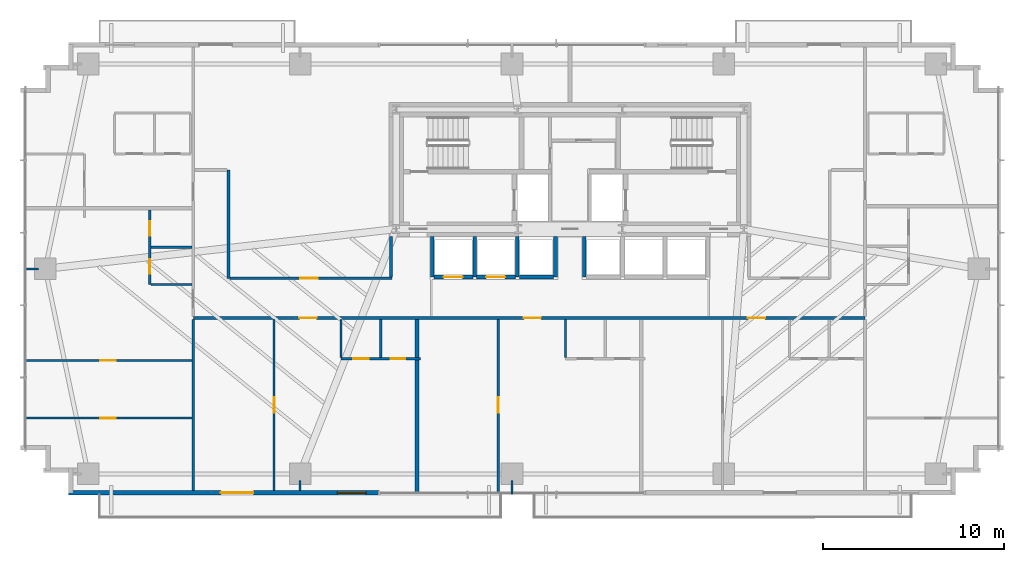
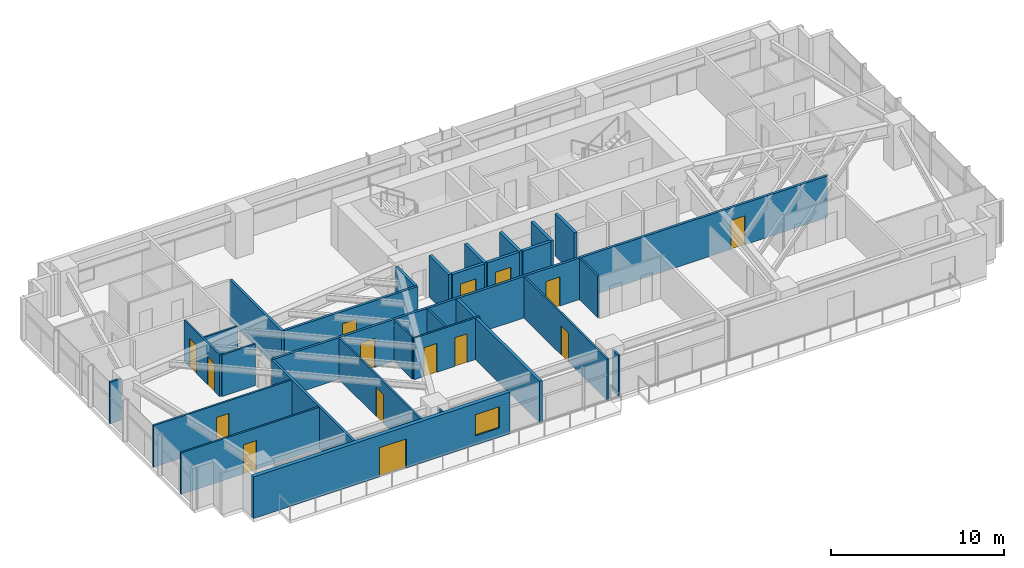
# One storey, part 19 of 25: 30 walls, 15 doors, 1 window, 16 openings.
"""IFC4 building model written with IfcOpenShell, lengths in metres."""

from ifc_helpers import new_model, si_unit, direction, frame, frame_2d, origin, place, context, subcontext, project, spatial, rectangle, extrude, source, transform, mapped, material, layer, layer_set, type_object, type_shapes, element, fill, save


model = new_model("IFC4")

# Units and contexts
model_context = context("Model", 3, precision=1e-05, world=origin(), true_north=direction((0.0, 1.0)))
body_context = subcontext(model_context, "Body", "Model", "MODEL_VIEW")
ifc_project = project(units=[si_unit("LENGTHUNIT", "METRE"), si_unit("AREAUNIT", "SQUARE_METRE"), si_unit("VOLUMEUNIT", "CUBIC_METRE"), si_unit("PLANEANGLEUNIT", "RADIAN"), si_unit("MASSUNIT", "GRAM", prefix="KILO")], contexts=[model_context])

# Site, building, storey
site_placement = place(None, origin())
site = spatial("IfcSite", under=ifc_project, at=site_placement, CompositionType="ELEMENT")
building_placement = place(site_placement, origin())
building = spatial("IfcBuilding", under=site, at=building_placement, Name="Astriad Promenade Condominiums", CompositionType="ELEMENT")
storey_placement = place(building_placement, frame((0.0, 0.0, 61.39990234375)))
storey = spatial("IfcBuildingStorey", under=building, at=storey_placement, Name="L17", CompositionType="ELEMENT", Elevation=61.39990234375)

# Wall, openings, doors
ifc_material_1 = material(Name="Fire-Rated Gypsum Partition")
ifc_layer_1 = layer(ifc_material_1, 0.159912109375)
ifc_layer_set_1 = layer_set([ifc_layer_1], Name="Fire-Rated Gypsum Partition")
wall_type_1 = type_object("IfcWallType", Name="WALL-CORR-160", PredefinedType="PARTITIONING", material=ifc_layer_set_1)
wall_1_placement = place(storey_placement, frame((15.199951171875, 12.489990234375, 0.0), z_axis=(0.0, 0.0, 1.0), x_axis=(1.0, 0.0, 0.0)))
wall_1 = element("IfcWall", 1, at=wall_1_placement, inside=storey, type_object=wall_type_1, Name="PT-COR-S-L17", PredefinedType="PARTITIONING", context=body_context, shape_type="SweptSolid", body=[
    extrude(rectangle(XDim=37.10009765625, YDim=0.159912109375, at=frame_2d((18.550048828125, 0.0))), origin(), (0.0, 0.0, 1.0), 2.940185546875),
])
opening_1_placement = place(wall_1_placement, frame((5.863037109375, 0.0, 0.0)))
opening_1 = element("IfcOpeningElement", 2, at=opening_1_placement, cuts=wall_1, Name="Opening FD60-APT-095", PredefinedType="OPENING", context=body_context, shape_type="SweptSolid", body=[
    extrude(rectangle(XDim=0.949951171875, YDim=2.06005859375, at=frame_2d((0.47509765625, 1.030029296875))), frame((0.0, 0.08984375, 0.0), z_axis=(0.0, -1.0, 0.0), x_axis=(1.0, 0.0, 0.0)), (0.0, 0.0, 1.0), 0.179931640625),
])
opening_2_placement = place(wall_1_placement, frame((18.25, 0.0, 0.0)))
opening_2 = element("IfcOpeningElement", 3, at=opening_2_placement, cuts=wall_1, Name="Opening FD60-APT-095", PredefinedType="OPENING", context=body_context, shape_type="SweptSolid", body=[
    extrude(rectangle(XDim=0.949951171875, YDim=2.06005859375, at=frame_2d((0.47509765625, 1.030029296875))), frame((0.0, 0.08984375, 0.0), z_axis=(0.0, -1.0, 0.0), x_axis=(1.0, 0.0, 0.0)), (0.0, 0.0, 1.0), 0.179931640625),
])
opening_3_placement = place(wall_1_placement, frame((30.6298828125, 0.0, 0.0)))
opening_3 = element("IfcOpeningElement", 4, at=opening_3_placement, cuts=wall_1, Name="Opening FD60-APT-095", PredefinedType="OPENING", context=body_context, shape_type="SweptSolid", body=[
    extrude(rectangle(XDim=0.949951171875, YDim=2.06005859375, at=frame_2d((0.47509765625, 1.030029296875))), frame((0.0, 0.08984375, 0.0), z_axis=(0.0, -1.0, 0.0), x_axis=(1.0, 0.0, 0.0)), (0.0, 0.0, 1.0), 0.179931640625),
])
ifc_material_2 = material(Name="Solid-Core Acoustic Timber Residence Entry Door", Category="wood")
door_type_1 = type_object("IfcDoorType", Name="FD60-APT-095", OperationType="NOTDEFINED", PredefinedType="DOOR", material=ifc_material_2)
shared_shape_1 = source(origin(), body_context, "Body", "SweptSolid", [
    extrude(rectangle(XDim=0.949951171875, YDim=2.06005859375, at=frame_2d((0.47509765625, 1.030029296875))), frame((0.0, 0.02490234375, 0.0), z_axis=(0.0, -1.0, 0.0), x_axis=(1.0, 0.0, 0.0)), (0.0, 0.0, 1.0), 0.050048828125),
])
type_shapes(door_type_1, [shared_shape_1])
door_1_placement = place(opening_1_placement, origin())
door_1 = element("IfcDoor", 5, at=door_1_placement, inside=storey, type_object=door_type_1, Name="D-ENT-L17-S1", OperationType="SINGLE_SWING_LEFT", OverallHeight=2.06005859375, OverallWidth=0.949951171875, PredefinedType="DOOR", context=body_context, shape_type="MappedRepresentation", body=[
    mapped(shared_shape_1, transform((0.0, 0.0, 0.0), scale=1.0)),
])
fill(opening_1, door_1)
door_2_placement = place(opening_2_placement, origin())
door_2 = element("IfcDoor", 6, at=door_2_placement, inside=storey, type_object=door_type_1, Name="D-ENT-L17-S2", OperationType="SINGLE_SWING_LEFT", OverallHeight=2.06005859375, OverallWidth=0.949951171875, PredefinedType="DOOR", context=body_context, shape_type="MappedRepresentation", body=[
    mapped(shared_shape_1, transform((0.0, 0.0, 0.0), scale=1.0)),
])
fill(opening_2, door_2)
door_3_placement = place(opening_3_placement, origin())
door_3 = element("IfcDoor", 7, at=door_3_placement, inside=storey, type_object=door_type_1, Name="D-ENT-L17-S3", OperationType="SINGLE_SWING_LEFT", OverallHeight=2.06005859375, OverallWidth=0.949951171875, PredefinedType="DOOR", context=body_context, shape_type="MappedRepresentation", body=[
    mapped(shared_shape_1, transform((0.0, 0.0, 0.0), scale=1.0)),
])
fill(opening_3, door_3)

# Walls
wall_2_placement = place(storey_placement, frame((15.199951171875, 2.9619140625, 0.0), z_axis=(0.0, 0.0, 1.0), x_axis=(0.0, 1.0, 0.0)))
element("IfcWall", 8, at=wall_2_placement, inside=storey, type_object=wall_type_1, Name="PT-COR-W-L17", PredefinedType="PARTITIONING", context=body_context, shape_type="SweptSolid", body=[
    extrude(rectangle(XDim=9.446044921875, YDim=0.159912109375, at=frame_2d((4.72314453125, 0.0))), origin(), (0.0, 0.0, 1.0), 2.940185546875),
])
wall_3_placement = place(storey_placement, frame((17.14990234375, 14.659912109375, 0.0), z_axis=(0.0, 0.0, 1.0), x_axis=(0.0, 1.0, 0.0)))
element("IfcWall", 9, at=wall_3_placement, inside=storey, type_object=wall_type_1, Name="PT-WALC-E-L17", PredefinedType="PARTITIONING", context=body_context, shape_type="SweptSolid", body=[
    extrude(rectangle(XDim=5.989990234375, YDim=0.159912109375, at=frame_2d((2.9951171875, 0.0))), origin(), (0.0, 0.0, 1.0), 2.940185546875),
])

# Wall, opening, door
wall_4_placement = place(storey_placement, frame((17.23193359375, 14.679931640625, 0.0), z_axis=(0.0, 0.0, 1.0), x_axis=(1.0, 0.0, 0.0)))
wall_4 = element("IfcWall", 10, at=wall_4_placement, inside=storey, type_object=wall_type_1, Name="PT-FLK-NW-L17", PredefinedType="PARTITIONING", context=body_context, shape_type="SweptSolid", body=[
    extrude(rectangle(XDim=8.927978515625, YDim=0.159912109375, at=frame_2d((4.4638671875, 0.0))), origin(), (0.0, 0.0, 1.0), 2.940185546875),
])
opening_4_placement = place(wall_4_placement, frame((3.887939453125, 0.0, 0.0)))
opening_4 = element("IfcOpeningElement", 11, at=opening_4_placement, cuts=wall_4, Name="Opening FD60-APT-095", PredefinedType="OPENING", context=body_context, shape_type="SweptSolid", body=[
    extrude(rectangle(XDim=0.949951171875, YDim=2.06005859375, at=frame_2d((0.47509765625, 1.030029296875))), frame((0.0, 0.08984375, 0.0), z_axis=(0.0, -1.0, 0.0), x_axis=(1.0, 0.0, 0.0)), (0.0, 0.0, 1.0), 0.179931640625),
])
door_4_placement = place(opening_4_placement, origin())
door_4 = element("IfcDoor", 12, at=door_4_placement, inside=storey, type_object=door_type_1, Name="D-NWA-L17", OperationType="SINGLE_SWING_RIGHT", OverallHeight=2.06005859375, OverallWidth=0.949951171875, PredefinedType="DOOR", context=body_context, shape_type="MappedRepresentation", body=[
    mapped(shared_shape_1, transform((0.0, 0.0, 0.0), scale=1.0)),
])
fill(opening_4, door_4)

# Walls
wall_5_placement = place(storey_placement, frame((26.1201171875, 14.761962890625, 0.0), z_axis=(0.0, 0.0, 1.0), x_axis=(0.0, 1.0, 0.0)))
element("IfcWall", 13, at=wall_5_placement, inside=storey, type_object=wall_type_1, Name="PT-WSPUR-W-L17", PredefinedType="PARTITIONING", context=body_context, shape_type="SweptSolid", body=[
    extrude(rectangle(XDim=2.236083984375, YDim=0.159912109375, at=frame_2d((1.1181640625, 0.0))), origin(), (0.0, 0.0, 1.0), 2.940185546875),
])
ifc_material_3 = material(Name="Acoustic Double-Stud Gypsum Partition")
ifc_layer_2 = layer(ifc_material_3, 0.199951171875)
ifc_layer_set_2 = layer_set([ifc_layer_2], Name="Acoustic Double-Stud Gypsum Partition")
wall_type_2 = type_object("IfcWallType", Name="WALL-DEMISING-200", PredefinedType="PARTITIONING", material=ifc_layer_set_2)
wall_6_placement = place(storey_placement, frame((27.553955078125, 2.780029296875, 0.0), z_axis=(0.0, 0.0, 1.0), x_axis=(0.0, 1.0, 0.0)))
element("IfcWall", 14, at=wall_6_placement, inside=storey, type_object=wall_type_2, Name="PT-DEM-S1-L17", PredefinedType="PARTITIONING", context=body_context, shape_type="SweptSolid", body=[
    extrude(rectangle(XDim=7.39794921875, YDim=0.199951171875, at=frame_2d((3.698974609375, 0.0))), origin(), (0.0, 0.0, 1.0), 2.940185546875),
])
wall_7_placement = place(storey_placement, frame((27.553955078125, 10.302001953125, 0.0), z_axis=(0.0, 0.0, 1.0), x_axis=(0.0, 1.0, 0.0)))
element("IfcWall", 15, at=wall_7_placement, inside=storey, type_object=wall_type_2, Name="PT-DEM-S1-L17-S2", PredefinedType="PARTITIONING", context=body_context, shape_type="SweptSolid", body=[
    extrude(rectangle(XDim=2.10595703125, YDim=0.199951171875, at=frame_2d((1.052978515625, 0.0))), origin(), (0.0, 0.0, 1.0), 2.940185546875),
])

# Wall, openings, door, window
ifc_material_4 = material(Name="Precast concrete C50/60", Category="concrete")
ifc_layer_3 = layer(ifc_material_4, 0.260009765625)
ifc_layer_set_3 = layer_set([ifc_layer_3], Name="Precast concrete C50/60")
wall_type_3 = type_object("IfcWallType", Name="WALL-EXT-TWR-260", PredefinedType="STANDARD", material=ifc_layer_set_3)
wall_8_placement = place(storey_placement, frame((25.449951171875, 2.830078125, 0.0), z_axis=(0.0, 0.0, 1.0), x_axis=(-1.0, 0.0, 0.0)))
wall_8 = element("IfcWall", 16, at=wall_8_placement, inside=storey, type_object=wall_type_3, Name="W-EXT-L17-S2", PredefinedType="STANDARD", context=body_context, shape_type="SweptSolid", body=[
    extrude(rectangle(XDim=17.14990234375, YDim=0.260009765625, at=frame_2d((8.574951171875, 0.0))), origin(), (0.0, 0.0, 1.0), 2.940185546875),
])
opening_5_placement = place(wall_8_placement, frame((6.929931640625, 0.0, 0.0)))
opening_5 = element("IfcOpeningElement", 17, at=opening_5_placement, cuts=wall_8, Name="Opening BD-1822-SLD", PredefinedType="OPENING", context=body_context, shape_type="SweptSolid", body=[
    extrude(rectangle(XDim=1.800048828125, YDim=2.06005859375, at=frame_2d((0.89990234375, 1.030029296875))), frame((0.0, 0.139892578125, 0.0), z_axis=(0.0, -1.0, 0.0), x_axis=(1.0, 0.0, 0.0)), (0.0, 0.0, 1.0), 0.280029296875),
])
opening_6_placement = place(wall_8_placement, frame((0.699951171875, 0.0, 0.64990234375)))
opening_6 = element("IfcOpeningElement", 18, at=opening_6_placement, cuts=wall_8, Name="Opening WIN-TWR-1620", PredefinedType="OPENING", context=body_context, shape_type="SweptSolid", body=[
    extrude(rectangle(XDim=1.60009765625, YDim=1.5, at=frame_2d((0.800048828125, 0.75))), frame((0.0, 0.139892578125, 0.0), z_axis=(0.0, -1.0, 0.0), x_axis=(1.0, 0.0, 0.0)), (0.0, 0.0, 1.0), 0.280029296875),
])
ifc_material_5 = material(Name="Thermally Broken Aluminium Sliding Balcony Door", Category="aluminium")
door_type_2 = type_object("IfcDoorType", Name="BD-1822-SLD", OperationType="NOTDEFINED", PredefinedType="DOOR", material=ifc_material_5)
shared_shape_2 = source(origin(), body_context, "Body", "SweptSolid", [
    extrude(rectangle(XDim=1.800048828125, YDim=2.06005859375, at=frame_2d((0.89990234375, 1.030029296875))), frame((0.0, 0.02490234375, 0.0), z_axis=(0.0, -1.0, 0.0), x_axis=(1.0, 0.0, 0.0)), (0.0, 0.0, 1.0), 0.050048828125),
])
type_shapes(door_type_2, [shared_shape_2])
door_5_placement = place(opening_5_placement, origin())
door_5 = element("IfcDoor", 19, at=door_5_placement, inside=storey, type_object=door_type_2, Name="BD-L17-SW", OperationType="SLIDING_TO_LEFT", OverallHeight=2.06005859375, OverallWidth=1.800048828125, PredefinedType="DOOR", context=body_context, shape_type="MappedRepresentation", body=[
    mapped(shared_shape_2, transform((0.0, 0.0, 0.0), scale=1.0)),
])
fill(opening_5, door_5)
ifc_material_6 = material(Name="Dark Tinted Triple-Glazed Aluminium Window", Category="aluminium")
window_type = type_object("IfcWindowType", Name="WIN-TWR-1620", PartitioningType="SINGLE_PANEL", PredefinedType="WINDOW", material=ifc_material_6)
shared_shape_3 = source(origin(), body_context, "Body", "SweptSolid", [
    extrude(rectangle(XDim=1.60009765625, YDim=1.5, at=frame_2d((0.800048828125, 0.75))), frame((0.0, 0.030029296875, 0.0), z_axis=(0.0, -1.0, 0.0), x_axis=(1.0, 0.0, 0.0)), (0.0, 0.0, 1.0), 0.06005859375),
])
type_shapes(window_type, [shared_shape_3])
window_placement = place(opening_6_placement, origin())
window = element("IfcWindow", 20, at=window_placement, inside=storey, type_object=window_type, Name="WIN-L17-SW", OverallHeight=1.5, OverallWidth=1.60009765625, PartitioningType="SINGLE_PANEL", PredefinedType="WINDOW", context=body_context, shape_type="MappedRepresentation", body=[
    mapped(shared_shape_3, transform((0.0, 0.0, 0.0), scale=1.0)),
])
fill(opening_6, window)

# Wall, openings, doors
ifc_material_7 = material(Name="Acoustic Metal-Stud Gypsum Partition")
ifc_layer_4 = layer(ifc_material_7, 0.1201171875)
ifc_layer_set_4 = layer_set([ifc_layer_4], Name="Acoustic Metal-Stud Gypsum Partition")
wall_type_4 = type_object("IfcWallType", Name="WALL-PART-120", PredefinedType="PARTITIONING", material=ifc_layer_set_4)
wall_9_placement = place(storey_placement, frame((23.35400390625, 10.239990234375, 0.0), z_axis=(0.0, 0.0, 1.0), x_axis=(1.0, 0.0, 0.0)))
wall_9 = element("IfcWall", 21, at=wall_9_placement, inside=storey, type_object=wall_type_4, Name="PT-L17-S1-PS", PredefinedType="PARTITIONING", context=body_context, shape_type="SweptSolid", body=[
    extrude(rectangle(XDim=4.39990234375, YDim=0.1201171875, at=frame_2d((2.199951171875, 0.0))), origin(), (0.0, 0.0, 1.0), 2.940185546875),
])
opening_7_placement = place(wall_9_placement, frame((0.675048828125, 0.0, 0.0)))
opening_7 = element("IfcOpeningElement", 22, at=opening_7_placement, cuts=wall_9, Name="Opening D-INT-085", PredefinedType="OPENING", context=body_context, shape_type="SweptSolid", body=[
    extrude(rectangle(XDim=0.85009765625, YDim=2.050048828125, at=frame_2d((0.425048828125, 1.02490234375))), frame((0.0, 0.070068359375, 0.0), z_axis=(0.0, -1.0, 0.0), x_axis=(1.0, 0.0, 0.0)), (0.0, 0.0, 1.0), 0.14013671875),
])
opening_8_placement = place(wall_9_placement, frame((2.75, 0.0, 0.0)))
opening_8 = element("IfcOpeningElement", 23, at=opening_8_placement, cuts=wall_9, Name="Opening D-WET-080", PredefinedType="OPENING", context=body_context, shape_type="SweptSolid", body=[
    extrude(rectangle(XDim=0.800048828125, YDim=2.02001953125, at=frame_2d((0.39990234375, 1.010009765625))), frame((0.0, 0.070068359375, 0.0), z_axis=(0.0, -1.0, 0.0), x_axis=(1.0, 0.0, 0.0)), (0.0, 0.0, 1.0), 0.14013671875),
])
ifc_material_8 = material(Name="Moisture-Resistant Timber Bathroom Door", Category="wood")
door_type_3 = type_object("IfcDoorType", Name="D-WET-080", OperationType="NOTDEFINED", PredefinedType="DOOR", material=ifc_material_8)
shared_shape_4 = source(origin(), body_context, "Body", "SweptSolid", [
    extrude(rectangle(XDim=0.800048828125, YDim=2.02001953125, at=frame_2d((0.39990234375, 1.010009765625))), frame((0.0, 0.02490234375, 0.0), z_axis=(0.0, -1.0, 0.0), x_axis=(1.0, 0.0, 0.0)), (0.0, 0.0, 1.0), 0.050048828125),
])
type_shapes(door_type_3, [shared_shape_4])
door_6_placement = place(opening_8_placement, origin())
door_6 = element("IfcDoor", 24, at=door_6_placement, inside=storey, type_object=door_type_3, Name="D-BTH-L17-S1", OperationType="SINGLE_SWING_LEFT", OverallHeight=2.02001953125, OverallWidth=0.800048828125, PredefinedType="DOOR", context=body_context, shape_type="MappedRepresentation", body=[
    mapped(shared_shape_4, transform((0.0, 0.0, 0.0), scale=1.0)),
])
fill(opening_8, door_6)
ifc_material_9 = material(Name="Painted Solid-Core Timber Room Door", Category="wood")
door_type_4 = type_object("IfcDoorType", Name="D-INT-085", OperationType="NOTDEFINED", PredefinedType="DOOR", material=ifc_material_9)
shared_shape_5 = source(origin(), body_context, "Body", "SweptSolid", [
    extrude(rectangle(XDim=0.85009765625, YDim=2.050048828125, at=frame_2d((0.425048828125, 1.02490234375))), frame((0.0, 0.02490234375, 0.0), z_axis=(0.0, -1.0, 0.0), x_axis=(1.0, 0.0, 0.0)), (0.0, 0.0, 1.0), 0.050048828125),
])
type_shapes(door_type_4, [shared_shape_5])
door_7_placement = place(opening_7_placement, origin())
door_7 = element("IfcDoor", 25, at=door_7_placement, inside=storey, type_object=door_type_4, Name="D-KIT-L17-S1", OperationType="SINGLE_SWING_RIGHT", OverallHeight=2.050048828125, OverallWidth=0.85009765625, PredefinedType="DOOR", context=body_context, shape_type="MappedRepresentation", body=[
    mapped(shared_shape_5, transform((0.0, 0.0, 0.0), scale=1.0)),
])
fill(opening_7, door_7)

# Walls
for number, where, z_axis, x_axis, name in (
    (26, (23.35400390625, 10.302001953125, 0.0), (0.0, 0.0, 1.0), (0.0, 1.0, 0.0), "PT-L17-S1-PK"),
    (27, (25.553955078125, 10.302001953125, 0.0), (0.0, 0.0, 1.0), (0.0, 1.0, 0.0), "PT-L17-S1-PB"),
):
    element("IfcWall", number, at=place(storey_placement, frame(where, z_axis=z_axis, x_axis=x_axis)), inside=storey, type_object=wall_type_4, Name=name, PredefinedType="PARTITIONING", context=body_context, shape_type="SweptSolid", body=[
        extrude(rectangle(XDim=2.10595703125, YDim=0.1201171875, at=frame_2d((1.052978515625, 0.0))), origin(), (0.0, 0.0, 1.0), 2.940185546875),
    ])

# Wall, opening, door
wall_10_placement = place(storey_placement, frame((19.6630859375, 2.9619140625, 0.0), z_axis=(0.0, 0.0, 1.0), x_axis=(0.0, 1.0, 0.0)))
wall_10 = element("IfcWall", 28, at=wall_10_placement, inside=storey, type_object=wall_type_4, Name="PT-L17-S1-CAP1", PredefinedType="PARTITIONING", context=body_context, shape_type="SweptSolid", body=[
    extrude(rectangle(XDim=9.446044921875, YDim=0.1201171875, at=frame_2d((4.72314453125, 0.0))), origin(), (0.0, 0.0, 1.0), 2.940185546875),
])
opening_9_placement = place(wall_10_placement, frame((4.2880859375, 0.0, 0.0)))
opening_9 = element("IfcOpeningElement", 29, at=opening_9_placement, cuts=wall_10, Name="Opening D-INT-085", PredefinedType="OPENING", context=body_context, shape_type="SweptSolid", body=[
    extrude(rectangle(XDim=0.85009765625, YDim=2.050048828125, at=frame_2d((0.425048828125, 1.02490234375))), frame((0.0, 0.070068359375, 0.0), z_axis=(0.0, -1.0, 0.0), x_axis=(1.0, 0.0, 0.0)), (0.0, 0.0, 1.0), 0.14013671875),
])
door_8_placement = place(opening_9_placement, origin())
door_8 = element("IfcDoor", 30, at=door_8_placement, inside=storey, type_object=door_type_4, Name="D-CAP1-L17-S1", OperationType="SINGLE_SWING_RIGHT", OverallHeight=2.050048828125, OverallWidth=0.85009765625, PredefinedType="DOOR", context=body_context, shape_type="MappedRepresentation", body=[
    mapped(shared_shape_5, transform((0.0, 0.0, 0.0), scale=1.0)),
])
fill(opening_9, door_8)

# Wall
wall_11_placement = place(storey_placement, frame((35.74609375, 10.302001953125, 0.0), z_axis=(0.0, 0.0, 1.0), x_axis=(0.0, 1.0, 0.0)))
element("IfcWall", 31, at=wall_11_placement, inside=storey, type_object=wall_type_4, Name="PT-L17-S2-PK", PredefinedType="PARTITIONING", context=body_context, shape_type="SweptSolid", body=[
    extrude(rectangle(XDim=2.10595703125, YDim=0.1201171875, at=frame_2d((1.052978515625, 0.0))), origin(), (0.0, 0.0, 1.0), 2.940185546875),
])

# Wall, opening, door
wall_12_placement = place(storey_placement, frame((32.04296875, 2.780029296875, 0.0), z_axis=(0.0, 0.0, 1.0), x_axis=(0.0, 1.0, 0.0)))
wall_12 = element("IfcWall", 32, at=wall_12_placement, inside=storey, type_object=wall_type_4, Name="PT-L17-S2-CAP1", PredefinedType="PARTITIONING", context=body_context, shape_type="SweptSolid", body=[
    extrude(rectangle(XDim=9.6279296875, YDim=0.1201171875, at=frame_2d((4.81396484375, 0.0))), origin(), (0.0, 0.0, 1.0), 2.940185546875),
])
opening_10_placement = place(wall_12_placement, frame((4.469970703125, 0.0, 0.0)))
opening_10 = element("IfcOpeningElement", 33, at=opening_10_placement, cuts=wall_12, Name="Opening D-INT-085", PredefinedType="OPENING", context=body_context, shape_type="SweptSolid", body=[
    extrude(rectangle(XDim=0.85009765625, YDim=2.050048828125, at=frame_2d((0.425048828125, 1.02490234375))), frame((0.0, 0.070068359375, 0.0), z_axis=(0.0, -1.0, 0.0), x_axis=(1.0, 0.0, 0.0)), (0.0, 0.0, 1.0), 0.14013671875),
])
door_9_placement = place(opening_10_placement, origin())
door_9 = element("IfcDoor", 34, at=door_9_placement, inside=storey, type_object=door_type_4, Name="D-CAP1-L17-S2", OperationType="SINGLE_SWING_RIGHT", OverallHeight=2.050048828125, OverallWidth=0.85009765625, PredefinedType="DOOR", context=body_context, shape_type="MappedRepresentation", body=[
    mapped(shared_shape_5, transform((0.0, 0.0, 0.0), scale=1.0)),
])
fill(opening_10, door_9)

# Wall, openings, doors
wall_13_placement = place(storey_placement, frame((12.800048828125, 14.340087890625, 0.0), z_axis=(0.0, 0.0, 1.0), x_axis=(0.0, 1.0, 0.0)))
wall_13 = element("IfcWall", 35, at=wall_13_placement, inside=storey, type_object=wall_type_4, Name="PT-L17-W1-PV", PredefinedType="PARTITIONING", context=body_context, shape_type="SweptSolid", body=[
    extrude(rectangle(XDim=4.10791015625, YDim=0.1201171875, at=frame_2d((2.053955078125, 0.0))), origin(), (0.0, 0.0, 1.0), 2.940185546875),
])
opening_11_placement = place(wall_13_placement, frame((0.60205078125, 0.0, 0.0)))
opening_11 = element("IfcOpeningElement", 36, at=opening_11_placement, cuts=wall_13, Name="Opening D-ULOW-080", PredefinedType="OPENING", context=body_context, shape_type="SweptSolid", body=[
    extrude(rectangle(XDim=0.800048828125, YDim=2.0, at=frame_2d((0.39990234375, 1.0))), frame((0.0, 0.070068359375, 0.0), z_axis=(0.0, -1.0, 0.0), x_axis=(1.0, 0.0, 0.0)), (0.0, 0.0, 1.0), 0.14013671875),
])
opening_12_placement = place(wall_13_placement, frame((2.681884765625, 0.0, 0.0)))
opening_12 = element("IfcOpeningElement", 37, at=opening_12_placement, cuts=wall_13, Name="Opening D-WET-080", PredefinedType="OPENING", context=body_context, shape_type="SweptSolid", body=[
    extrude(rectangle(XDim=0.800048828125, YDim=2.02001953125, at=frame_2d((0.39990234375, 1.010009765625))), frame((0.0, 0.070068359375, 0.0), z_axis=(0.0, -1.0, 0.0), x_axis=(1.0, 0.0, 0.0)), (0.0, 0.0, 1.0), 0.14013671875),
])
door_10_placement = place(opening_12_placement, origin())
door_10 = element("IfcDoor", 38, at=door_10_placement, inside=storey, type_object=door_type_3, Name="D-BTH-L17-W1", OperationType="SINGLE_SWING_RIGHT", OverallHeight=2.02001953125, OverallWidth=0.800048828125, PredefinedType="DOOR", context=body_context, shape_type="MappedRepresentation", body=[
    mapped(shared_shape_4, transform((0.0, 0.0, 0.0), scale=1.0)),
])
fill(opening_12, door_10)
ifc_material_10 = material(Name="Painted Timber Low-Headroom Door", Category="wood")
door_type_5 = type_object("IfcDoorType", Name="D-ULOW-080", OperationType="NOTDEFINED", PredefinedType="DOOR", material=ifc_material_10)
shared_shape_6 = source(origin(), body_context, "Body", "SweptSolid", [
    extrude(rectangle(XDim=0.800048828125, YDim=2.0, at=frame_2d((0.39990234375, 1.0))), frame((0.0, 0.02490234375, 0.0), z_axis=(0.0, -1.0, 0.0), x_axis=(1.0, 0.0, 0.0)), (0.0, 0.0, 1.0), 0.050048828125),
])
type_shapes(door_type_5, [shared_shape_6])
door_11_placement = place(opening_11_placement, origin())
door_11 = element("IfcDoor", 39, at=door_11_placement, inside=storey, type_object=door_type_5, Name="D-KIT-L17-W1", OperationType="SINGLE_SWING_LEFT", OverallHeight=2.0, OverallWidth=0.800048828125, PredefinedType="DOOR", context=body_context, shape_type="MappedRepresentation", body=[
    mapped(shared_shape_6, transform((0.0, 0.0, 0.0), scale=1.0)),
])
fill(opening_11, door_11)

# Walls
for number, where, z_axis, x_axis, name in (
    (40, (12.862060546875, 16.39501953125, 0.0), (0.0, 0.0, 1.0), (1.0, 0.0, 0.0), "PT-L17-W1-PM"),
    (41, (12.862060546875, 14.340087890625, 0.0), (0.0, 0.0, 1.0), (1.0, 0.0, 0.0), "PT-L17-W1-PS"),
):
    element("IfcWall", number, at=place(storey_placement, frame(where, z_axis=z_axis, x_axis=x_axis)), inside=storey, type_object=wall_type_4, Name=name, PredefinedType="PARTITIONING", context=body_context, shape_type="SweptSolid", body=[
        extrude(rectangle(XDim=2.255859375, YDim=0.1201171875, at=frame_2d((1.1279296875, 0.0))), origin(), (0.0, 0.0, 1.0), 2.940185546875),
    ])

# Wall, opening, door
wall_14_placement = place(storey_placement, frame((5.8798828125, 6.9599609375, 0.0), z_axis=(0.0, 0.0, 1.0), x_axis=(1.0, 0.0, 0.0)))
wall_14 = element("IfcWall", 42, at=wall_14_placement, inside=storey, type_object=wall_type_4, Name="PT-L17-W1-WDS1", PredefinedType="PARTITIONING", context=body_context, shape_type="SweptSolid", body=[
    extrude(rectangle(XDim=9.238037109375, YDim=0.1201171875, at=frame_2d((4.619140625, 0.0))), origin(), (0.0, 0.0, 1.0), 2.940185546875),
])
opening_13_placement = place(wall_14_placement, frame((4.18505859375, 0.0, 0.0)))
opening_13 = element("IfcOpeningElement", 43, at=opening_13_placement, cuts=wall_14, Name="Opening D-INT-085", PredefinedType="OPENING", context=body_context, shape_type="SweptSolid", body=[
    extrude(rectangle(XDim=0.85009765625, YDim=2.050048828125, at=frame_2d((0.425048828125, 1.02490234375))), frame((0.0, 0.070068359375, 0.0), z_axis=(0.0, -1.0, 0.0), x_axis=(1.0, 0.0, 0.0)), (0.0, 0.0, 1.0), 0.14013671875),
])
door_12_placement = place(opening_13_placement, origin())
door_12 = element("IfcDoor", 44, at=door_12_placement, inside=storey, type_object=door_type_4, Name="D-WDS1-L17-W1", OperationType="SINGLE_SWING_LEFT", OverallHeight=2.050048828125, OverallWidth=0.85009765625, PredefinedType="DOOR", context=body_context, shape_type="MappedRepresentation", body=[
    mapped(shared_shape_5, transform((0.0, 0.0, 0.0), scale=1.0)),
])
fill(opening_13, door_12)

wall_15_placement = place(storey_placement, frame((5.8798828125, 10.138916015625, 0.0), z_axis=(0.0, 0.0, 1.0), x_axis=(1.0, 0.0, 0.0)))
wall_15 = element("IfcWall", 45, at=wall_15_placement, inside=storey, type_object=wall_type_4, Name="PT-L17-W1-WDS2", PredefinedType="PARTITIONING", context=body_context, shape_type="SweptSolid", body=[
    extrude(rectangle(XDim=9.238037109375, YDim=0.1201171875, at=frame_2d((4.619140625, 0.0))), origin(), (0.0, 0.0, 1.0), 2.940185546875),
])
opening_14_placement = place(wall_15_placement, frame((4.18505859375, 0.0, 0.0)))
opening_14 = element("IfcOpeningElement", 46, at=opening_14_placement, cuts=wall_15, Name="Opening D-INT-085", PredefinedType="OPENING", context=body_context, shape_type="SweptSolid", body=[
    extrude(rectangle(XDim=0.85009765625, YDim=2.050048828125, at=frame_2d((0.425048828125, 1.02490234375))), frame((0.0, 0.070068359375, 0.0), z_axis=(0.0, -1.0, 0.0), x_axis=(1.0, 0.0, 0.0)), (0.0, 0.0, 1.0), 0.14013671875),
])
door_13_placement = place(opening_14_placement, origin())
door_13 = element("IfcDoor", 47, at=door_13_placement, inside=storey, type_object=door_type_4, Name="D-WDS2-L17-W1", OperationType="SINGLE_SWING_RIGHT", OverallHeight=2.050048828125, OverallWidth=0.85009765625, PredefinedType="DOOR", context=body_context, shape_type="MappedRepresentation", body=[
    mapped(shared_shape_5, transform((0.0, 0.0, 0.0), scale=1.0)),
])
fill(opening_14, door_13)

# Walls
wall_16_placement = place(storey_placement, frame((21.10009765625, 3.5, 0.0), z_axis=(0.0, 0.0, 1.0), x_axis=(0.0, -1.0, 0.0)))
element("IfcWall", 48, at=wall_16_placement, inside=storey, type_object=wall_type_4, Name="PT-PIL-L17-PC02-9", PredefinedType="PARTITIONING", context=body_context, shape_type="SweptSolid", body=[
    extrude(rectangle(XDim=0.5380859375, YDim=0.1201171875, at=frame_2d((0.26904296875, 0.0))), origin(), (0.0, 0.0, 1.0), 2.940185546875),
])
wall_17_placement = place(storey_placement, frame((32.800048828125, 3.5, 0.0), z_axis=(0.0, 0.0, 1.0), x_axis=(0.0, -1.0, 0.0)))
element("IfcWall", 49, at=wall_17_placement, inside=storey, type_object=wall_type_4, Name="PT-PIL-L17-PC03-10", PredefinedType="PARTITIONING", context=body_context, shape_type="SweptSolid", body=[
    extrude(rectangle(XDim=0.719970703125, YDim=0.1201171875, at=frame_2d((0.35986328125, 0.0))), origin(), (0.0, 0.0, 1.0), 2.940185546875),
])
wall_18_placement = place(storey_placement, frame((6.639892578125, 15.199951171875, 0.0), z_axis=(0.0, 0.0, 1.0), x_axis=(-1.0, 0.0, 0.0)))
element("IfcWall", 50, at=wall_18_placement, inside=storey, type_object=wall_type_4, Name="PT-PIL-L17-PC11-18", PredefinedType="PARTITIONING", context=body_context, shape_type="SweptSolid", body=[
    extrude(rectangle(XDim=0.760009765625, YDim=0.1201171875, at=frame_2d((0.3798828125, 0.0))), origin(), (0.0, 0.0, 1.0), 2.940185546875),
])
ifc_material_11 = material(Name="Gypsum Shaftliner Assembly")
ifc_layer_5 = layer(ifc_material_11, 0.199951171875)
ifc_layer_set_5 = layer_set([ifc_layer_5], Name="Gypsum Shaftliner Assembly")
wall_type_5 = type_object("IfcWallType", Name="WALL-SHAFT-200", PredefinedType="PARTITIONING", material=ifc_layer_set_5)
for number, where, z_axis, x_axis, name in (
    (51, (28.39990234375, 14.75, 0.0), (0.0, 0.0, 1.0), (0.0, 1.0, 0.0), "PL-W-OUT-L17"),
    (52, (30.75, 14.75, 0.0), (0.0, 0.0, 1.0), (0.0, 1.0, 0.0), "PL-L-DIV-L17"),
    (53, (33.10009765625, 14.75, 0.0), (0.0, 0.0, 1.0), (0.0, 1.0, 0.0), "PL-LM-DIV-L17"),
):
    element("IfcWall", number, at=place(storey_placement, frame(where, z_axis=z_axis, x_axis=x_axis)), inside=storey, type_object=wall_type_5, Name=name, PredefinedType="PARTITIONING", context=body_context, shape_type="SweptSolid", body=[
        extrude(rectangle(XDim=2.248046875, YDim=0.199951171875, at=frame_2d((1.1240234375, 0.0))), origin(), (0.0, 0.0, 1.0), 2.940185546875),
    ])

# Wall, opening, door
wall_19_placement = place(storey_placement, frame((28.501953125, 14.75, 0.0), z_axis=(0.0, 0.0, 1.0), x_axis=(1.0, 0.0, 0.0)))
wall_19 = element("IfcWall", 54, at=wall_19_placement, inside=storey, type_object=wall_type_5, Name="PL-L-FRT-L17", PredefinedType="PARTITIONING", context=body_context, shape_type="SweptSolid", body=[
    extrude(rectangle(XDim=2.14599609375, YDim=0.199951171875, at=frame_2d((1.072998046875, 0.0))), origin(), (0.0, 0.0, 1.0), 2.940185546875),
])
opening_15_placement = place(wall_19_placement, frame((0.52294921875, 0.0, 0.0)))
opening_15 = element("IfcOpeningElement", 55, at=opening_15_placement, cuts=wall_19, Name="Opening LD-PL-10522", PredefinedType="OPENING", context=body_context, shape_type="SweptSolid", body=[
    extrude(rectangle(XDim=1.050048828125, YDim=2.080078125, at=frame_2d((0.52490234375, 1.0400390625))), frame((0.0, 0.10986328125, 0.0), z_axis=(0.0, -1.0, 0.0), x_axis=(1.0, 0.0, 0.0)), (0.0, 0.0, 1.0), 0.219970703125),
])
ifc_material_12 = material(Name="Brushed Bronze Passenger Elevator Landing Door")
door_type_6 = type_object("IfcDoorType", Name="LD-PL-10522", OperationType="NOTDEFINED", PredefinedType="DOOR", material=ifc_material_12)
shared_shape_7 = source(origin(), body_context, "Body", "SweptSolid", [
    extrude(rectangle(XDim=1.050048828125, YDim=2.080078125, at=frame_2d((0.52490234375, 1.0400390625))), frame((0.0, 0.02490234375, 0.0), z_axis=(0.0, -1.0, 0.0), x_axis=(1.0, 0.0, 0.0)), (0.0, 0.0, 1.0), 0.050048828125),
])
type_shapes(door_type_6, [shared_shape_7])
door_14_placement = place(opening_15_placement, origin())
door_14 = element("IfcDoor", 56, at=door_14_placement, inside=storey, type_object=door_type_6, Name="Elevator Landing Door PL-L1 (L17)", OperationType="SLIDING_TO_LEFT", OverallHeight=2.080078125, OverallWidth=1.050048828125, PredefinedType="DOOR", context=body_context, shape_type="MappedRepresentation", body=[
    mapped(shared_shape_7, transform((0.0, 0.0, 0.0), scale=1.0)),
])
fill(opening_15, door_14)

wall_20_placement = place(storey_placement, frame((30.85205078125, 14.75, 0.0), z_axis=(0.0, 0.0, 1.0), x_axis=(1.0, 0.0, 0.0)))
wall_20 = element("IfcWall", 57, at=wall_20_placement, inside=storey, type_object=wall_type_5, Name="PL-L-FRT-L17-S2", PredefinedType="PARTITIONING", context=body_context, shape_type="SweptSolid", body=[
    extrude(rectangle(XDim=2.14599609375, YDim=0.199951171875, at=frame_2d((1.072998046875, 0.0))), origin(), (0.0, 0.0, 1.0), 2.940185546875),
])
opening_16_placement = place(wall_20_placement, frame((0.52294921875, 0.0, 0.0)))
opening_16 = element("IfcOpeningElement", 58, at=opening_16_placement, cuts=wall_20, Name="Opening LD-PL-10522", PredefinedType="OPENING", context=body_context, shape_type="SweptSolid", body=[
    extrude(rectangle(XDim=1.050048828125, YDim=2.080078125, at=frame_2d((0.52490234375, 1.0400390625))), frame((0.0, 0.10986328125, 0.0), z_axis=(0.0, -1.0, 0.0), x_axis=(1.0, 0.0, 0.0)), (0.0, 0.0, 1.0), 0.219970703125),
])
door_15_placement = place(opening_16_placement, origin())
door_15 = element("IfcDoor", 59, at=door_15_placement, inside=storey, type_object=door_type_6, Name="Elevator Landing Door PL-L2 (L17)", OperationType="SLIDING_TO_RIGHT", OverallHeight=2.080078125, OverallWidth=1.050048828125, PredefinedType="DOOR", context=body_context, shape_type="MappedRepresentation", body=[
    mapped(shared_shape_7, transform((0.0, 0.0, 0.0), scale=1.0)),
])
fill(opening_16, door_15)

# Walls
wall_21_placement = place(storey_placement, frame((35.199951171875, 14.75, 0.0), z_axis=(0.0, 0.0, 1.0), x_axis=(0.0, 1.0, 0.0)))
element("IfcWall", 60, at=wall_21_placement, inside=storey, type_object=wall_type_5, Name="PL-M1-E-L17", PredefinedType="PARTITIONING", context=body_context, shape_type="SweptSolid", body=[
    extrude(rectangle(XDim=2.248046875, YDim=0.199951171875, at=frame_2d((1.1240234375, 0.0))), origin(), (0.0, 0.0, 1.0), 2.940185546875),
])
wall_22_placement = place(storey_placement, frame((33.201904296875, 14.75, 0.0), z_axis=(0.0, 0.0, 1.0), x_axis=(1.0, 0.0, 0.0)))
element("IfcWall", 61, at=wall_22_placement, inside=storey, type_object=wall_type_5, Name="PL-M1-F-L17", PredefinedType="PARTITIONING", context=body_context, shape_type="SweptSolid", body=[
    extrude(rectangle(XDim=1.89599609375, YDim=0.199951171875, at=frame_2d((0.947998046875, 0.0))), origin(), (0.0, 0.0, 1.0), 2.940185546875),
])
wall_23_placement = place(storey_placement, frame((36.800048828125, 14.75, 0.0), z_axis=(0.0, 0.0, 1.0), x_axis=(0.0, 1.0, 0.0)))
element("IfcWall", 62, at=wall_23_placement, inside=storey, type_object=wall_type_5, Name="PL-M2-W-L17", PredefinedType="PARTITIONING", context=body_context, shape_type="SweptSolid", body=[
    extrude(rectangle(XDim=2.248046875, YDim=0.199951171875, at=frame_2d((1.1240234375, 0.0))), origin(), (0.0, 0.0, 1.0), 2.940185546875),
])

save(model, "model.ifc")
